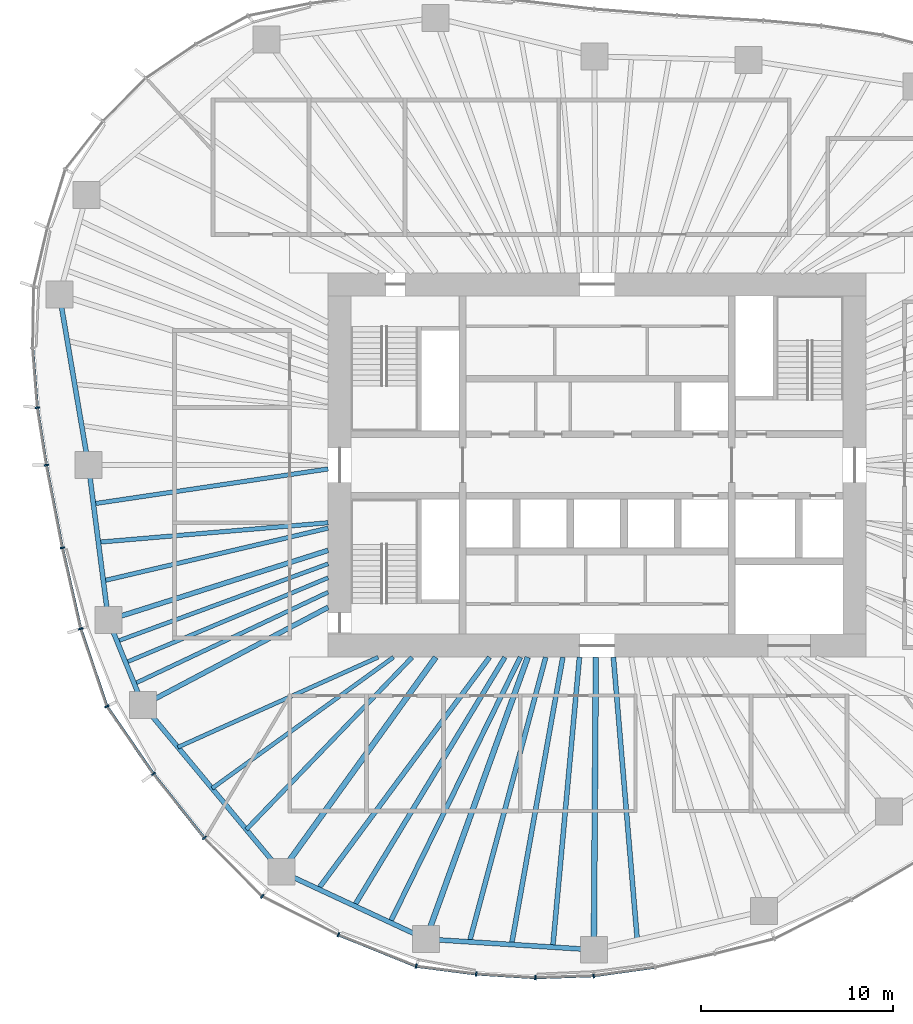
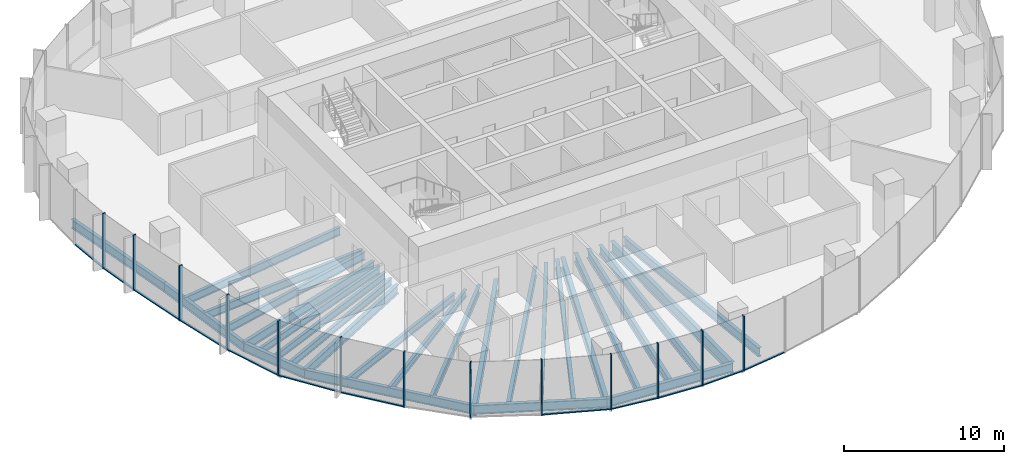
# One storey, part 2 of 18: 27 beams, 25 members, 7 elements without a shape of their own.
"""IFC4 building model written with IfcOpenShell, lengths in metres."""

from ifc_helpers import new_model, si_unit, direction, frame, origin, origin_2d, place, context, subcontext, project, spatial, rectangle, i_section, extrude, material, material_profile, profile_set, type_object, element, aggregate, save


model = new_model("IFC4")

# Units and contexts
model_context = context("Model", 3, precision=1e-05, world=origin(), true_north=direction((0.0, 1.0)))
body_context = subcontext(model_context, "Body", "Model", "MODEL_VIEW")
ifc_project = project(units=[si_unit("LENGTHUNIT", "METRE"), si_unit("AREAUNIT", "SQUARE_METRE"), si_unit("VOLUMEUNIT", "CUBIC_METRE"), si_unit("PLANEANGLEUNIT", "RADIAN"), si_unit("MASSUNIT", "GRAM", prefix="KILO")], contexts=[model_context])

# Site, building, storey
site_placement = place(None, origin())
site = spatial("IfcSite", under=ifc_project, at=site_placement, CompositionType="ELEMENT")
building_placement = place(site_placement, origin())
building = spatial("IfcBuilding", under=site, at=building_placement, Name="Ghaith Harvest Tower", CompositionType="ELEMENT")
storey_placement = place(building_placement, frame((0.0, 0.0, 180.60009765625)))
storey = spatial("IfcBuildingStorey", under=building, at=storey_placement, Name="L39", CompositionType="ELEMENT", Elevation=180.60009765625)

# Curtain wall, member
ifc_material_1 = material(Name="Black anodised aluminium and fritted glass", Category="aluminium")
curtain_wall_type = type_object("IfcCurtainWallType", Name="CW-L CURTAIN WALL", PredefinedType="NOTDEFINED", material=ifc_material_1)
curtain_wall_1_placement = place(storey_placement, origin())
curtain_wall_1 = element("IfcCurtainWall", 1, at=curtain_wall_1_placement, inside=storey, type_object=curtain_wall_type, Name="Curtain wall CW-L bay 10 L39", PredefinedType="NOTDEFINED")
ifc_material_2 = material(Name="Aluminium, black anodised", Category="aluminium")
ifc_material_profile_1 = material_profile(ifc_material_2, rectangle(XDim=0.080078125, YDim=0.239990234375, at=origin_2d()), Name="CW-L MULLION 80x240")
ifc_profile_set_1 = profile_set([ifc_material_profile_1], Name="Aluminium, black anodised")
member_type_1 = type_object("IfcMemberType", Name="CW-L MULLION 80x240", PredefinedType="MULLION", material=ifc_profile_set_1)
member_1_placement = place(storey_placement, frame((-29.131103515625, 2.990478515625, 0.0), z_axis=(0.0, 0.0, 1.0), x_axis=(0.116763791346, -0.993159713757, 0.0)))
member_1 = element("IfcMember", 2, at=member_1_placement, type_object=member_type_1, Name="CW-L mullion 3 bay 10 L39", PredefinedType="MULLION", context=body_context, shape_type="SweptSolid", body=[
    extrude(rectangle(XDim=0.080078125, YDim=0.239990234375, at=origin_2d()), origin(), (0.0, 0.0, 1.0), 4.199951171875),
])

# Curtain wall, members
curtain_wall_2_placement = place(storey_placement, origin())
curtain_wall_2 = element("IfcCurtainWall", 3, at=curtain_wall_2_placement, inside=storey, type_object=curtain_wall_type, Name="Curtain wall CW-L bay 11 L39", PredefinedType="NOTDEFINED")
member_2_placement = place(storey_placement, frame((-28.6611328125, 0.0, 0.0), z_axis=(0.0, 0.0, 1.0), x_axis=(0.175827209372, -0.984421044292, 0.0)))
member_2 = element("IfcMember", 4, at=member_2_placement, type_object=member_type_1, Name="CW-L mullion 1 bay 11 L39", PredefinedType="MULLION", context=body_context, shape_type="SweptSolid", body=[
    extrude(rectangle(XDim=0.080078125, YDim=0.239990234375, at=origin_2d()), origin(), (0.0, 0.0, 1.0), 4.199951171875),
])
member_3_placement = place(storey_placement, frame((-27.828125, -4.30419921875, 0.0), z_axis=(0.0, 0.0, 1.0), x_axis=(0.205176300018, -0.978725030798, 0.0)))
member_3 = element("IfcMember", 5, at=member_3_placement, type_object=member_type_1, Name="CW-L mullion 2 bay 11 L39", PredefinedType="MULLION", context=body_context, shape_type="SweptSolid", body=[
    extrude(rectangle(XDim=0.080078125, YDim=0.239990234375, at=origin_2d()), origin(), (0.0, 0.0, 1.0), 4.199951171875),
])

curtain_wall_3_placement = place(storey_placement, origin())
curtain_wall_3 = element("IfcCurtainWall", 6, at=curtain_wall_3_placement, inside=storey, type_object=curtain_wall_type, Name="Curtain wall CW-L bay 12 L39", PredefinedType="NOTDEFINED")
member_4_placement = place(storey_placement, frame((-26.875732421875, -8.517333984375, 0.0), z_axis=(0.0, 0.0, 1.0), x_axis=(0.270018818005, -0.962855045125, 0.0)))
member_4 = element("IfcMember", 7, at=member_4_placement, type_object=member_type_1, Name="CW-L mullion 1 bay 12 L39", PredefinedType="MULLION", context=body_context, shape_type="SweptSolid", body=[
    extrude(rectangle(XDim=0.080078125, YDim=0.239990234375, at=origin_2d()), origin(), (0.0, 0.0, 1.0), 4.199951171875),
])
member_5_placement = place(storey_placement, frame((-25.513427734375, -12.55810546875, 0.0), z_axis=(0.0, 0.0, 1.0), x_axis=(0.448267068681, -0.893899678452, 0.0)))
member_5 = element("IfcMember", 8, at=member_5_placement, type_object=member_type_1, Name="CW-L mullion 2 bay 12 L39", PredefinedType="MULLION", context=body_context, shape_type="SweptSolid", body=[
    extrude(rectangle(XDim=0.080078125, YDim=0.239990234375, at=origin_2d()), origin(), (0.0, 0.0, 1.0), 4.199951171875),
])

curtain_wall_4_placement = place(storey_placement, origin())
curtain_wall_4 = element("IfcCurtainWall", 9, at=curtain_wall_4_placement, inside=storey, type_object=curtain_wall_type, Name="Curtain wall CW-L bay 13 L39", PredefinedType="NOTDEFINED")
member_6_placement = place(storey_placement, frame((-23.090087890625, -16.066162109375, 0.0), z_axis=(0.0, 0.0, 1.0), x_axis=(0.595740202191, -0.803177198066, 0.0)))
member_6 = element("IfcMember", 10, at=member_6_placement, type_object=member_type_1, Name="CW-L mullion 1 bay 13 L39", PredefinedType="MULLION", context=body_context, shape_type="SweptSolid", body=[
    extrude(rectangle(XDim=0.080078125, YDim=0.239990234375, at=origin_2d()), origin(), (0.0, 0.0, 1.0), 4.199951171875),
])
member_7_placement = place(storey_placement, frame((-20.441162109375, -19.396728515625, 0.0), z_axis=(0.0, 0.0, 1.0), x_axis=(0.663764675537, -0.747941478666, 0.0)))
member_7 = element("IfcMember", 11, at=member_7_placement, type_object=member_type_1, Name="CW-L mullion 2 bay 13 L39", PredefinedType="MULLION", context=body_context, shape_type="SweptSolid", body=[
    extrude(rectangle(XDim=0.080078125, YDim=0.239990234375, at=origin_2d()), origin(), (0.0, 0.0, 1.0), 4.199951171875),
])

curtain_wall_5_placement = place(storey_placement, origin())
curtain_wall_5 = element("IfcCurtainWall", 12, at=curtain_wall_5_placement, inside=storey, type_object=curtain_wall_type, Name="Curtain wall CW-L bay 14 L39", PredefinedType="NOTDEFINED")
member_8_placement = place(storey_placement, frame((-17.430419921875, -22.443603515625, 0.0), z_axis=(0.0, 0.0, 1.0), x_axis=(0.810339399222, -0.585960799089, 0.0)))
member_8 = element("IfcMember", 13, at=member_8_placement, type_object=member_type_1, Name="CW-L mullion 1 bay 14 L39", PredefinedType="MULLION", context=body_context, shape_type="SweptSolid", body=[
    extrude(rectangle(XDim=0.080078125, YDim=0.239990234375, at=origin_2d()), origin(), (0.0, 0.0, 1.0), 4.199951171875),
])
member_9_placement = place(storey_placement, frame((-13.463134765625, -24.4423828125, 0.0), z_axis=(0.0, 0.0, 1.0), x_axis=(0.910648017946, -0.413182995066, 0.0)))
member_9 = element("IfcMember", 14, at=member_9_placement, type_object=member_type_1, Name="CW-L mullion 2 bay 14 L39", PredefinedType="MULLION", context=body_context, shape_type="SweptSolid", body=[
    extrude(rectangle(XDim=0.080078125, YDim=0.239990234375, at=origin_2d()), origin(), (0.0, 0.0, 1.0), 4.199951171875),
])

curtain_wall_6_placement = place(storey_placement, origin())
curtain_wall_6 = element("IfcCurtainWall", 15, at=curtain_wall_6_placement, inside=storey, type_object=curtain_wall_type, Name="Curtain wall CW-L bay 15 L39", PredefinedType="NOTDEFINED")
member_10_placement = place(storey_placement, frame((-9.4189453125, -26.07861328125, 0.0), z_axis=(0.0, 0.0, 1.0), x_axis=(0.961788606004, -0.273793128768, 0.0)))
member_10 = element("IfcMember", 16, at=member_10_placement, type_object=member_type_1, Name="CW-L mullion 1 bay 15 L39", PredefinedType="MULLION", context=body_context, shape_type="SweptSolid", body=[
    extrude(rectangle(XDim=0.080078125, YDim=0.239990234375, at=origin_2d()), origin(), (0.0, 0.0, 1.0), 4.199951171875),
])
member_11_placement = place(storey_placement, frame((-6.29443359375, -26.483154296875, 0.0), z_axis=(0.0, 0.0, 1.0), x_axis=(0.995389243171, -0.095917957546, 0.0)))
member_11 = element("IfcMember", 17, at=member_11_placement, type_object=member_type_1, Name="CW-L mullion 2 bay 15 L39", PredefinedType="MULLION", context=body_context, shape_type="SweptSolid", body=[
    extrude(rectangle(XDim=0.080078125, YDim=0.239990234375, at=origin_2d()), origin(), (0.0, 0.0, 1.0), 4.199951171875),
])
member_12_placement = place(storey_placement, frame((-3.21923828125, -26.676025390625, 0.0), z_axis=(0.0, 0.0, 1.0), x_axis=(0.999890531495, -0.014796115241, 0.0)))
member_12 = element("IfcMember", 18, at=member_12_placement, type_object=member_type_1, Name="CW-L mullion 3 bay 15 L39", PredefinedType="MULLION", context=body_context, shape_type="SweptSolid", body=[
    extrude(rectangle(XDim=0.080078125, YDim=0.239990234375, at=origin_2d()), origin(), (0.0, 0.0, 1.0), 4.199951171875),
])

# Curtain wall, member
curtain_wall_7_placement = place(storey_placement, origin())
curtain_wall_7 = element("IfcCurtainWall", 19, at=curtain_wall_7_placement, inside=storey, type_object=curtain_wall_type, Name="Curtain wall CW-L bay 16 L39", PredefinedType="NOTDEFINED")
member_13_placement = place(storey_placement, frame((-0.181884765625, -26.57373046875, 0.0), z_axis=(0.0, 0.0, 1.0), x_axis=(0.996169227662, 0.087446382772, 0.0)))
member_13 = element("IfcMember", 20, at=member_13_placement, type_object=member_type_1, Name="CW-L mullion 1 bay 16 L39", PredefinedType="MULLION", context=body_context, shape_type="SweptSolid", body=[
    extrude(rectangle(XDim=0.080078125, YDim=0.239990234375, at=origin_2d()), origin(), (0.0, 0.0, 1.0), 4.199951171875),
])

# Member
ifc_material_3 = material(Name="Aluminium, black anodised", Category="aluminium")
ifc_material_profile_2 = material_profile(ifc_material_3, rectangle(XDim=0.14990234375, YDim=0.080078125, at=origin_2d()), Name="CW-L TRANSOM 150x80")
ifc_profile_set_2 = profile_set([ifc_material_profile_2], Name="Aluminium, black anodised")
member_type_2 = type_object("IfcMemberType", Name="CW-L TRANSOM 150x80", PredefinedType="USERDEFINED", material=ifc_profile_set_2)
member_14_placement = place(storey_placement, frame((-29.374755859375, 6.05615234375, 0.039794921875), z_axis=(0.079230491279, -0.996856323274, 0.0), x_axis=(0.996856323274, 0.079230491279, 0.0)))
member_14 = element("IfcMember", 21, at=member_14_placement, type_object=member_type_2, Name="CW-L transom 2 bay 10 L39", ObjectType="TRANSOM", PredefinedType="USERDEFINED", context=body_context, shape_type="SweptSolid", body=[
    extrude(rectangle(XDim=0.14990234375, YDim=0.080078125, at=origin_2d()), origin(), (0.0, 0.0, 1.0), 3.03515625),
])

member_15_placement = place(storey_placement, frame((-29.124755859375, 2.951171875, 0.039794921875), z_axis=(0.155150065502, -0.987890913601, 0.0), x_axis=(0.987890913601, 0.155150065502, 0.0)))
member_15 = element("IfcMember", 22, at=member_15_placement, type_object=member_type_2, Name="CW-L transom 3 bay 10 L39", ObjectType="TRANSOM", PredefinedType="USERDEFINED", context=body_context, shape_type="SweptSolid", body=[
    extrude(rectangle(XDim=0.14990234375, YDim=0.080078125, at=origin_2d()), origin(), (0.0, 0.0, 1.0), 2.947265625),
])

aggregate(curtain_wall_1, [member_14, member_1, member_15])

member_16_placement = place(storey_placement, frame((-28.653564453125, -0.039306640625, 0.039794921875), z_axis=(0.190025434036, -0.981779167848, 0.0), x_axis=(0.981779167848, 0.190025434036, 0.0)))
member_16 = element("IfcMember", 23, at=member_16_placement, type_object=member_type_2, Name="CW-L transom 1 bay 11 L39", ObjectType="TRANSOM", PredefinedType="USERDEFINED", context=body_context, shape_type="SweptSolid", body=[
    extrude(rectangle(XDim=0.14990234375, YDim=0.080078125, at=origin_2d()), origin(), (0.0, 0.0, 1.0), 4.303955078125),
])

member_17_placement = place(storey_placement, frame((-27.8193359375, -4.34326171875, 0.039794921875), z_axis=(0.220508326041, -0.975385092231, 0.0), x_axis=(0.975385092231, 0.220508326041, 0.0)))
member_17 = element("IfcMember", 24, at=member_17_placement, type_object=member_type_2, Name="CW-L transom 2 bay 11 L39", ObjectType="TRANSOM", PredefinedType="USERDEFINED", context=body_context, shape_type="SweptSolid", body=[
    extrude(rectangle(XDim=0.14990234375, YDim=0.080078125, at=origin_2d()), origin(), (0.0, 0.0, 1.0), 4.2392578125),
])

aggregate(curtain_wall_2, [member_2, member_16, member_3, member_17])

member_18_placement = place(storey_placement, frame((-26.863037109375, -8.55517578125, 0.039794921875), z_axis=(0.319499057133, -0.947586593664, 0.0), x_axis=(0.947586593664, 0.319499057133, 0.0)))
member_18 = element("IfcMember", 25, at=member_18_placement, type_object=member_type_2, Name="CW-L transom 1 bay 12 L39", ObjectType="TRANSOM", PredefinedType="USERDEFINED", context=body_context, shape_type="SweptSolid", body=[
    extrude(rectangle(XDim=0.14990234375, YDim=0.080078125, at=origin_2d()), origin(), (0.0, 0.0, 1.0), 4.184326171875),
])

member_19_placement = place(storey_placement, frame((-25.49072265625, -12.591064453125, 0.039794921875), z_axis=(0.568360052499, -0.822779952796, 0.0), x_axis=(0.822779952796, 0.568360052499, 0.0)))
member_19 = element("IfcMember", 26, at=member_19_placement, type_object=member_type_2, Name="CW-L transom 2 bay 12 L39", ObjectType="TRANSOM", PredefinedType="USERDEFINED", context=body_context, shape_type="SweptSolid", body=[
    extrude(rectangle(XDim=0.14990234375, YDim=0.080078125, at=origin_2d()), origin(), (0.0, 0.0, 1.0), 4.183837890625),
])

aggregate(curtain_wall_3, [member_4, member_18, member_5, member_19])

member_20_placement = place(storey_placement, frame((-23.065185546875, -16.09765625, 0.039794921875), z_axis=(0.622510542814, -0.782611413209, 0.0), x_axis=(0.782611413209, 0.622510542814, 0.0)))
member_20 = element("IfcMember", 27, at=member_20_placement, type_object=member_type_2, Name="CW-L transom 1 bay 13 L39", ObjectType="TRANSOM", PredefinedType="USERDEFINED", context=body_context, shape_type="SweptSolid", body=[
    extrude(rectangle(XDim=0.14990234375, YDim=0.080078125, at=origin_2d()), origin(), (0.0, 0.0, 1.0), 4.17529296875),
])

aggregate(curtain_wall_4, [member_6, member_20, member_7])

member_21_placement = place(storey_placement, frame((-13.426025390625, -24.45751953125, 0.039794921875), z_axis=(0.92700297754, -0.375053968959, 0.0), x_axis=(0.375053968959, 0.92700297754, 0.0)))
member_21 = element("IfcMember", 28, at=member_21_placement, type_object=member_type_2, Name="CW-L transom 2 bay 14 L39", ObjectType="TRANSOM", PredefinedType="USERDEFINED", context=body_context, shape_type="SweptSolid", body=[
    extrude(rectangle(XDim=0.14990234375, YDim=0.080078125, at=origin_2d()), origin(), (0.0, 0.0, 1.0), 4.282470703125),
])

aggregate(curtain_wall_5, [member_8, member_9, member_21])

member_22_placement = place(storey_placement, frame((-9.37939453125, -26.083740234375, 0.039794921875), z_axis=(0.991722765635, -0.128397648429, 0.0), x_axis=(0.128397648429, 0.991722765635, 0.0)))
member_22 = element("IfcMember", 29, at=member_22_placement, type_object=member_type_2, Name="CW-L transom 1 bay 15 L39", ObjectType="TRANSOM", PredefinedType="USERDEFINED", context=body_context, shape_type="SweptSolid", body=[
    extrude(rectangle(XDim=0.14990234375, YDim=0.080078125, at=origin_2d()), origin(), (0.0, 0.0, 1.0), 3.07080078125),
])

member_23_placement = place(storey_placement, frame((-6.25439453125, -26.485595703125, 0.039794921875), z_axis=(0.998036402434, -0.062636566132, 0.0), x_axis=(0.062636566132, 0.998036402434, 0.0)))
member_23 = element("IfcMember", 30, at=member_23_placement, type_object=member_type_2, Name="CW-L transom 2 bay 15 L39", ObjectType="TRANSOM", PredefinedType="USERDEFINED", context=body_context, shape_type="SweptSolid", body=[
    extrude(rectangle(XDim=0.14990234375, YDim=0.080078125, at=origin_2d()), origin(), (0.0, 0.0, 1.0), 3.001220703125),
])

member_24_placement = place(storey_placement, frame((-3.17919921875, -26.6748046875, 0.039794921875), z_axis=(0.999430436664, 0.033746144522, 0.0), x_axis=(-0.033746144522, 0.999430436664, 0.0)))
member_24 = element("IfcMember", 31, at=member_24_placement, type_object=member_type_2, Name="CW-L transom 3 bay 15 L39", ObjectType="TRANSOM", PredefinedType="USERDEFINED", context=body_context, shape_type="SweptSolid", body=[
    extrude(rectangle(XDim=0.14990234375, YDim=0.080078125, at=origin_2d()), origin(), (0.0, 0.0, 1.0), 2.958984375),
])

aggregate(curtain_wall_6, [member_10, member_22, member_11, member_23, member_12, member_24])

member_25_placement = place(storey_placement, frame((-0.142333984375, -26.568115234375, 0.039794921875), z_axis=(0.990446640965, 0.137896524254, 0.0), x_axis=(-0.137896524254, 0.990446640965, 0.0)))
member_25 = element("IfcMember", 32, at=member_25_placement, type_object=member_type_2, Name="CW-L transom 1 bay 16 L39", ObjectType="TRANSOM", PredefinedType="USERDEFINED", context=body_context, shape_type="SweptSolid", body=[
    extrude(rectangle(XDim=0.14990234375, YDim=0.080078125, at=origin_2d()), origin(), (0.0, 0.0, 1.0), 3.142578125),
])

aggregate(curtain_wall_7, [member_13, member_25])

# Beams
ifc_material_4 = material(Name="Steel ASTM A992 Grade 50", Category="steel")
ifc_material_profile_3 = material_profile(ifc_material_4, i_section(OverallWidth=0.25390625, OverallDepth=0.68408203125, WebThickness=0.012451171875, FlangeThickness=0.018798828125, at=origin_2d()), Name="W690X140")
ifc_profile_set_3 = profile_set([ifc_material_profile_3], Name="Steel ASTM A992 Grade 50")
beam_type_1 = type_object("IfcBeamType", Name="E690-140 W690X140", PredefinedType="SPANDREL", material=ifc_profile_set_3)
beam_1_placement = place(storey_placement, frame((-27.98291015625, 8.867919921875, -0.51220703125), z_axis=(0.167624246844, -0.985850958244, 0.0), x_axis=(0.985850958244, 0.167624246844, 0.0)))
element("IfcBeam", 33, at=beam_1_placement, inside=storey, type_object=beam_type_1, Name="Edge beam E10 L39", PredefinedType="SPANDREL", context=body_context, shape_type="SweptSolid", body=[
    extrude(i_section(OverallWidth=0.25390625, OverallDepth=0.68408203125, WebThickness=0.012451171875, FlangeThickness=0.018798828125, at=origin_2d()), origin(), (0.0, 0.0, 1.0), 8.9951171875),
])
beam_2_placement = place(storey_placement, frame((-26.47509765625, 0.0, -0.51220703125), z_axis=(0.127841715048, -0.991794583517, 0.0), x_axis=(0.991794583517, 0.127841715048, 0.0)))
element("IfcBeam", 34, at=beam_2_placement, inside=storey, type_object=beam_type_1, Name="Edge beam E11 L39", PredefinedType="SPANDREL", context=body_context, shape_type="SweptSolid", body=[
    extrude(i_section(OverallWidth=0.25390625, OverallDepth=0.68408203125, WebThickness=0.012451171875, FlangeThickness=0.018798828125, at=origin_2d()), origin(), (0.0, 0.0, 1.0), 8.127685546875),
])
beam_3_placement = place(storey_placement, frame((-25.43603515625, -8.06103515625, -0.51220703125), z_axis=(0.376479712052, -0.9264248628, 0.0), x_axis=(0.9264248628, 0.376479712052, 0.0)))
element("IfcBeam", 35, at=beam_3_placement, inside=storey, type_object=beam_type_1, Name="Edge beam E12 L39", PredefinedType="SPANDREL", context=body_context, shape_type="SweptSolid", body=[
    extrude(i_section(OverallWidth=0.25390625, OverallDepth=0.68408203125, WebThickness=0.012451171875, FlangeThickness=0.018798828125, at=origin_2d()), origin(), (0.0, 0.0, 1.0), 4.783935546875),
])
beam_4_placement = place(storey_placement, frame((-23.635009765625, -12.492919921875, -0.51220703125), z_axis=(0.638719320052, -0.769439815835, 0.0), x_axis=(0.769439815835, 0.638719320052, 0.0)))
element("IfcBeam", 36, at=beam_4_placement, inside=storey, type_object=beam_type_1, Name="Edge beam E13 L39", PredefinedType="SPANDREL", context=body_context, shape_type="SweptSolid", body=[
    extrude(i_section(OverallWidth=0.25390625, OverallDepth=0.68408203125, WebThickness=0.012451171875, FlangeThickness=0.018798828125, at=origin_2d()), origin(), (0.0, 0.0, 1.0), 11.26953125),
])
beam_5_placement = place(storey_placement, frame((-16.43701171875, -21.1640625, -0.51220703125), z_axis=(0.906607079462, -0.421975832802, 0.0), x_axis=(0.421975832802, 0.906607079462, 0.0)))
element("IfcBeam", 37, at=beam_5_placement, inside=storey, type_object=beam_type_1, Name="Edge beam E14 L39", PredefinedType="SPANDREL", context=body_context, shape_type="SweptSolid", body=[
    extrude(i_section(OverallWidth=0.25390625, OverallDepth=0.68408203125, WebThickness=0.012451171875, FlangeThickness=0.018798828125, at=origin_2d()), origin(), (0.0, 0.0, 1.0), 8.303466796875),
])
beam_6_placement = place(storey_placement, frame((-8.908935546875, -24.66796875, -0.51220703125), z_axis=(0.99797963184, -0.063534671101, 0.0), x_axis=(0.063534671101, 0.99797963184, 0.0)))
element("IfcBeam", 38, at=beam_6_placement, inside=storey, type_object=beam_type_1, Name="Edge beam E15 L39", PredefinedType="SPANDREL", context=body_context, shape_type="SweptSolid", body=[
    extrude(i_section(OverallWidth=0.25390625, OverallDepth=0.68408203125, WebThickness=0.012451171875, FlangeThickness=0.018798828125, at=origin_2d()), origin(), (0.0, 0.0, 1.0), 8.75341796875),
])
ifc_material_5 = material(Name="Steel ASTM A992 Grade 50", Category="steel")
ifc_material_profile_4 = material_profile(ifc_material_5, i_section(OverallWidth=0.256103515625, OverallDepth=0.693115234375, WebThickness=0.014404296875, FlangeThickness=0.023681640625, at=origin_2d()), Name="W690X170")
ifc_profile_set_4 = profile_set([ifc_material_profile_4], Name="Steel ASTM A992 Grade 50")
beam_type_2 = type_object("IfcBeamType", Name="G690-170 W690X170", PredefinedType="BEAM", material=ifc_profile_set_4)
beam_7_placement = place(storey_placement, frame((-14.0, -4.43701171875, -0.5166015625), z_axis=(-0.953279533519, -0.302089607522, 0.0), x_axis=(0.302089607522, -0.953279533519, 0.0)))
element("IfcBeam", 39, at=beam_7_placement, inside=storey, type_object=beam_type_2, Name="Radial girder G12 L39", PredefinedType="BEAM", context=body_context, shape_type="SweptSolid", body=[
    extrude(i_section(OverallWidth=0.256103515625, OverallDepth=0.693115234375, WebThickness=0.014404296875, FlangeThickness=0.023681640625, at=origin_2d()), origin(), (0.0, 0.0, 1.0), 11.99658203125),
])
beam_8_placement = place(storey_placement, frame((-14.0, -7.39990234375, -0.5166015625), z_axis=(-0.884086346066, -0.467323584576, 0.0), x_axis=(0.467323584576, -0.884086346066, 0.0)))
element("IfcBeam", 40, at=beam_8_placement, inside=storey, type_object=beam_type_2, Name="Radial girder G13 L39", PredefinedType="BEAM", context=body_context, shape_type="SweptSolid", body=[
    extrude(i_section(OverallWidth=0.256103515625, OverallDepth=0.693115234375, WebThickness=0.014404296875, FlangeThickness=0.023681640625, at=origin_2d()), origin(), (0.0, 0.0, 1.0), 10.898193359375),
])
ifc_material_6 = material(Name="Steel ASTM A992 Grade 50", Category="steel")
ifc_material_profile_5 = material_profile(ifc_material_6, i_section(OverallWidth=0.2939453125, OverallDepth=0.85107421875, WebThickness=0.01611328125, FlangeThickness=0.02685546875, at=origin_2d()), Name="W840X226")
ifc_profile_set_5 = profile_set([ifc_material_profile_5], Name="Steel ASTM A992 Grade 50")
beam_type_3 = type_object("IfcBeamType", Name="G840-226 W840X226", PredefinedType="BEAM", material=ifc_profile_set_5)
beam_9_placement = place(storey_placement, frame((-8.39990234375, -10.0, -0.595703125), z_axis=(-0.584256100809, -0.811569349265, 0.0), x_axis=(0.811569349265, -0.584256100809, 0.0)))
element("IfcBeam", 41, at=beam_9_placement, inside=storey, type_object=beam_type_3, Name="Radial girder G14 L39", PredefinedType="BEAM", context=body_context, shape_type="SweptSolid", body=[
    extrude(i_section(OverallWidth=0.2939453125, OverallDepth=0.85107421875, WebThickness=0.01611328125, FlangeThickness=0.02685546875, at=origin_2d()), origin(), (0.0, 0.0, 1.0), 13.756103515625),
])
beam_10_placement = place(storey_placement, frame((-3.61181640625, -10.0, -0.595703125), z_axis=(-0.339664467784, -0.940546675782, 0.0), x_axis=(0.940546675782, -0.339664467784, 0.0)))
element("IfcBeam", 42, at=beam_10_placement, inside=storey, type_object=beam_type_3, Name="Radial girder G15 L39", PredefinedType="BEAM", context=body_context, shape_type="SweptSolid", body=[
    extrude(i_section(OverallWidth=0.2939453125, OverallDepth=0.85107421875, WebThickness=0.01611328125, FlangeThickness=0.02685546875, at=origin_2d()), origin(), (0.0, 0.0, 1.0), 15.59521484375),
])
beam_11_placement = place(storey_placement, frame((-0.068359375, -10.0, -0.595703125), z_axis=(-0.006879467722, -0.999976336182, 0.0), x_axis=(0.999976336182, -0.006879467722, 0.0)))
element("IfcBeam", 43, at=beam_11_placement, inside=storey, type_object=beam_type_3, Name="Radial girder G16 L39", PredefinedType="BEAM", context=body_context, shape_type="SweptSolid", body=[
    extrude(i_section(OverallWidth=0.2939453125, OverallDepth=0.85107421875, WebThickness=0.01611328125, FlangeThickness=0.02685546875, at=origin_2d()), origin(), (0.0, 0.0, 1.0), 15.224365234375),
])
ifc_material_7 = material(Name="Steel ASTM A992 Grade 50", Category="steel")
ifc_material_profile_6 = material_profile(ifc_material_7, i_section(OverallWidth=0.2109375, OverallDepth=0.5390625, WebThickness=0.01171875, FlangeThickness=0.018798828125, at=origin_2d()), Name="W530X109")
ifc_profile_set_6 = profile_set([ifc_material_profile_6], Name="Steel ASTM A992 Grade 50")
beam_type_4 = type_object("IfcBeamType", Name="J530-109 W530X109", PredefinedType="JOIST", material=ifc_profile_set_6)
beam_12_placement = place(storey_placement, frame((-14.0, -5.137939453125, -0.439697265625), z_axis=(-0.938774452531, -0.344532331247, 0.0), x_axis=(0.344532331247, -0.938774452531, 0.0)))
element("IfcBeam", 44, at=beam_12_placement, inside=storey, type_object=beam_type_4, Name="Joist J12.1 L39", PredefinedType="JOIST", context=body_context, shape_type="SweptSolid", body=[
    extrude(i_section(OverallWidth=0.2109375, OverallDepth=0.5390625, WebThickness=0.01171875, FlangeThickness=0.018798828125, at=origin_2d()), origin(), (0.0, 0.0, 1.0), 11.7021484375),
])
beam_13_placement = place(storey_placement, frame((-14.0, -5.862548828125, -0.439697265625), z_axis=(-0.922385564947, -0.386270461693, 0.0), x_axis=(0.386270461693, -0.922385564947, 0.0)))
element("IfcBeam", 45, at=beam_13_placement, inside=storey, type_object=beam_type_4, Name="Joist J12.2 L39", PredefinedType="JOIST", context=body_context, shape_type="SweptSolid", body=[
    extrude(i_section(OverallWidth=0.2109375, OverallDepth=0.5390625, WebThickness=0.01171875, FlangeThickness=0.018798828125, at=origin_2d()), origin(), (0.0, 0.0, 1.0), 11.4228515625),
])
beam_14_placement = place(storey_placement, frame((-14.0, -6.614990234375, -0.439697265625), z_axis=(-0.904150042111, -0.427215052815, 0.0), x_axis=(0.427215052815, -0.904150042111, 0.0)))
element("IfcBeam", 46, at=beam_14_placement, inside=storey, type_object=beam_type_4, Name="Joist J12.3 L39", PredefinedType="JOIST", context=body_context, shape_type="SweptSolid", body=[
    extrude(i_section(OverallWidth=0.2109375, OverallDepth=0.5390625, WebThickness=0.01171875, FlangeThickness=0.018798828125, at=origin_2d()), origin(), (0.0, 0.0, 1.0), 11.15625),
])
beam_15_placement = place(storey_placement, frame((-11.39990234375, -10.0, -0.439697265625), z_axis=(-0.912147734774, -0.409861574127, 0.0), x_axis=(0.409861574127, -0.912147734774, 0.0)))
element("IfcBeam", 47, at=beam_15_placement, inside=storey, type_object=beam_type_4, Name="Joist J13.1 L39", PredefinedType="JOIST", context=body_context, shape_type="SweptSolid", body=[
    extrude(i_section(OverallWidth=0.2109375, OverallDepth=0.5390625, WebThickness=0.01171875, FlangeThickness=0.018798828125, at=origin_2d()), origin(), (0.0, 0.0, 1.0), 11.421875),
])
beam_16_placement = place(storey_placement, frame((-10.60009765625, -10.0, -0.439697265625), z_axis=(-0.810452010932, -0.5858050341, 0.0), x_axis=(0.5858050341, -0.810452010932, 0.0)))
element("IfcBeam", 48, at=beam_16_placement, inside=storey, type_object=beam_type_4, Name="Joist J13.2 L39", PredefinedType="JOIST", context=body_context, shape_type="SweptSolid", body=[
    extrude(i_section(OverallWidth=0.2109375, OverallDepth=0.5390625, WebThickness=0.01171875, FlangeThickness=0.018798828125, at=origin_2d()), origin(), (0.0, 0.0, 1.0), 11.64794921875),
])
ifc_material_8 = material(Name="Steel ASTM A992 Grade 50", Category="steel")
ifc_material_profile_7 = material_profile(ifc_material_8, i_section(OverallWidth=0.22900390625, OverallDepth=0.612060546875, WebThickness=0.011962890625, FlangeThickness=0.01953125, at=origin_2d()), Name="W610X125")
ifc_profile_set_7 = profile_set([ifc_material_profile_7], Name="Steel ASTM A992 Grade 50")
beam_type_5 = type_object("IfcBeamType", Name="J610-125 W610X125", PredefinedType="JOIST", material=ifc_profile_set_7)
beam_17_placement = place(storey_placement, frame((-14.0, -0.199951171875, -0.47607421875), z_axis=(-0.989135422742, -0.147007195321, 0.0), x_axis=(0.147007195321, -0.989135422742, 0.0)))
element("IfcBeam", 49, at=beam_17_placement, inside=storey, type_object=beam_type_5, Name="Joist J11.1 L39", PredefinedType="JOIST", context=body_context, shape_type="SweptSolid", body=[
    extrude(i_section(OverallWidth=0.22900390625, OverallDepth=0.612060546875, WebThickness=0.011962890625, FlangeThickness=0.01953125, at=origin_2d()), origin(), (0.0, 0.0, 1.0), 12.349365234375),
])
beam_18_placement = place(storey_placement, frame((-14.0, -3.0, -0.47607421875), z_axis=(-0.996417474722, -0.0845707755, 0.0), x_axis=(0.0845707755, -0.996417474722, 0.0)))
element("IfcBeam", 50, at=beam_18_placement, inside=storey, type_object=beam_type_5, Name="Joist J11.2 L39", PredefinedType="JOIST", context=body_context, shape_type="SweptSolid", body=[
    extrude(i_section(OverallWidth=0.22900390625, OverallDepth=0.612060546875, WebThickness=0.011962890625, FlangeThickness=0.01953125, at=origin_2d()), origin(), (0.0, 0.0, 1.0), 12.00048828125),
])
beam_19_placement = place(storey_placement, frame((-14.0, -3.280517578125, -0.47607421875), z_axis=(-0.973624350862, -0.228157014813, 0.0), x_axis=(0.228157014813, -0.973624350862, 0.0)))
element("IfcBeam", 51, at=beam_19_placement, inside=storey, type_object=beam_type_5, Name="Joist J11.3 L39", PredefinedType="JOIST", context=body_context, shape_type="SweptSolid", body=[
    extrude(i_section(OverallWidth=0.22900390625, OverallDepth=0.612060546875, WebThickness=0.011962890625, FlangeThickness=0.01953125, at=origin_2d()), origin(), (0.0, 0.0, 1.0), 12.015625),
])
beam_20_placement = place(storey_placement, frame((-9.626708984375, -10.0, -0.47607421875), z_axis=(-0.693534641621, -0.720423278963, 0.0), x_axis=(0.720423278963, -0.693534641621, 0.0)))
element("IfcBeam", 52, at=beam_20_placement, inside=storey, type_object=beam_type_5, Name="Joist J13.3 L39", PredefinedType="JOIST", context=body_context, shape_type="SweptSolid", body=[
    extrude(i_section(OverallWidth=0.22900390625, OverallDepth=0.612060546875, WebThickness=0.011962890625, FlangeThickness=0.01953125, at=origin_2d()), origin(), (0.0, 0.0, 1.0), 12.4482421875),
])
ifc_material_9 = material(Name="Steel ASTM A992 Grade 50", Category="steel")
ifc_material_profile_8 = material_profile(ifc_material_9, i_section(OverallWidth=0.25390625, OverallDepth=0.68408203125, WebThickness=0.012451171875, FlangeThickness=0.018798828125, at=origin_2d()), Name="W690X140")
ifc_profile_set_8 = profile_set([ifc_material_profile_8], Name="Steel ASTM A992 Grade 50")
beam_type_6 = type_object("IfcBeamType", Name="J690-140 W690X140", PredefinedType="JOIST", material=ifc_profile_set_8)
beam_21_placement = place(storey_placement, frame((-5.60009765625, -10.0, -0.51220703125), z_axis=(-0.59434024765, -0.804213696739, 0.0), x_axis=(0.804213696739, -0.59434024765, 0.0)))
element("IfcBeam", 53, at=beam_21_placement, inside=storey, type_object=beam_type_6, Name="Joist J14.1 L39", PredefinedType="JOIST", context=body_context, shape_type="SweptSolid", body=[
    extrude(i_section(OverallWidth=0.25390625, OverallDepth=0.68408203125, WebThickness=0.012451171875, FlangeThickness=0.018798828125, at=origin_2d()), origin(), (0.0, 0.0, 1.0), 14.995849609375),
])
beam_22_placement = place(storey_placement, frame((-4.800048828125, -10.0, -0.51220703125), z_axis=(-0.517986442874, -0.855388826791, 0.0), x_axis=(0.855388826791, -0.517986442874, 0.0)))
element("IfcBeam", 54, at=beam_22_placement, inside=storey, type_object=beam_type_6, Name="Joist J14.2 L39", PredefinedType="JOIST", context=body_context, shape_type="SweptSolid", body=[
    extrude(i_section(OverallWidth=0.25390625, OverallDepth=0.68408203125, WebThickness=0.012451171875, FlangeThickness=0.018798828125, at=origin_2d()), origin(), (0.0, 0.0, 1.0), 15.12158203125),
])
beam_23_placement = place(storey_placement, frame((-4.0, -10.0, -0.51220703125), z_axis=(-0.440562898219, -0.897721745706, 0.0), x_axis=(0.897721745706, -0.440562898219, 0.0)))
element("IfcBeam", 55, at=beam_23_placement, inside=storey, type_object=beam_type_6, Name="Joist J14.3 L39", PredefinedType="JOIST", context=body_context, shape_type="SweptSolid", body=[
    extrude(i_section(OverallWidth=0.25390625, OverallDepth=0.68408203125, WebThickness=0.012451171875, FlangeThickness=0.018798828125, at=origin_2d()), origin(), (0.0, 0.0, 1.0), 15.372802734375),
])
beam_24_placement = place(storey_placement, frame((-2.677978515625, -10.0, -0.51220703125), z_axis=(-0.258693109612, -0.965959561803, 0.0), x_axis=(0.965959561803, -0.258693109612, 0.0)))
element("IfcBeam", 56, at=beam_24_placement, inside=storey, type_object=beam_type_6, Name="Joist J15.1 L39", PredefinedType="JOIST", context=body_context, shape_type="SweptSolid", body=[
    extrude(i_section(OverallWidth=0.25390625, OverallDepth=0.68408203125, WebThickness=0.012451171875, FlangeThickness=0.018798828125, at=origin_2d()), origin(), (0.0, 0.0, 1.0), 15.333984375),
])
beam_25_placement = place(storey_placement, frame((-1.785888671875, -10.0, -0.51220703125), z_axis=(-0.175792307544, -0.984427277461, 0.0), x_axis=(0.984427277461, -0.175792307544, 0.0)))
element("IfcBeam", 57, at=beam_25_placement, inside=storey, type_object=beam_type_6, Name="Joist J15.2 L39", PredefinedType="JOIST", context=body_context, shape_type="SweptSolid", body=[
    extrude(i_section(OverallWidth=0.25390625, OverallDepth=0.68408203125, WebThickness=0.012451171875, FlangeThickness=0.018798828125, at=origin_2d()), origin(), (0.0, 0.0, 1.0), 15.18798828125),
])
beam_26_placement = place(storey_placement, frame((-0.92041015625, -10.0, -0.51220703125), z_axis=(-0.091651457116, -0.995791147987, 0.0), x_axis=(0.995791147987, -0.091651457116, 0.0)))
element("IfcBeam", 58, at=beam_26_placement, inside=storey, type_object=beam_type_6, Name="Joist J15.3 L39", PredefinedType="JOIST", context=body_context, shape_type="SweptSolid", body=[
    extrude(i_section(OverallWidth=0.25390625, OverallDepth=0.68408203125, WebThickness=0.012451171875, FlangeThickness=0.018798828125, at=origin_2d()), origin(), (0.0, 0.0, 1.0), 15.151611328125),
])
beam_27_placement = place(storey_placement, frame((0.844970703125, -10.0, -0.51220703125), z_axis=(0.084208979751, -0.996448115924, 0.0), x_axis=(0.996448115924, 0.084208979751, 0.0)))
element("IfcBeam", 59, at=beam_27_placement, inside=storey, type_object=beam_type_6, Name="Joist J16.1 L39", PredefinedType="JOIST", context=body_context, shape_type="SweptSolid", body=[
    extrude(i_section(OverallWidth=0.25390625, OverallDepth=0.68408203125, WebThickness=0.012451171875, FlangeThickness=0.018798828125, at=origin_2d()), origin(), (0.0, 0.0, 1.0), 14.760009765625),
])

save(model, "model.ifc")
